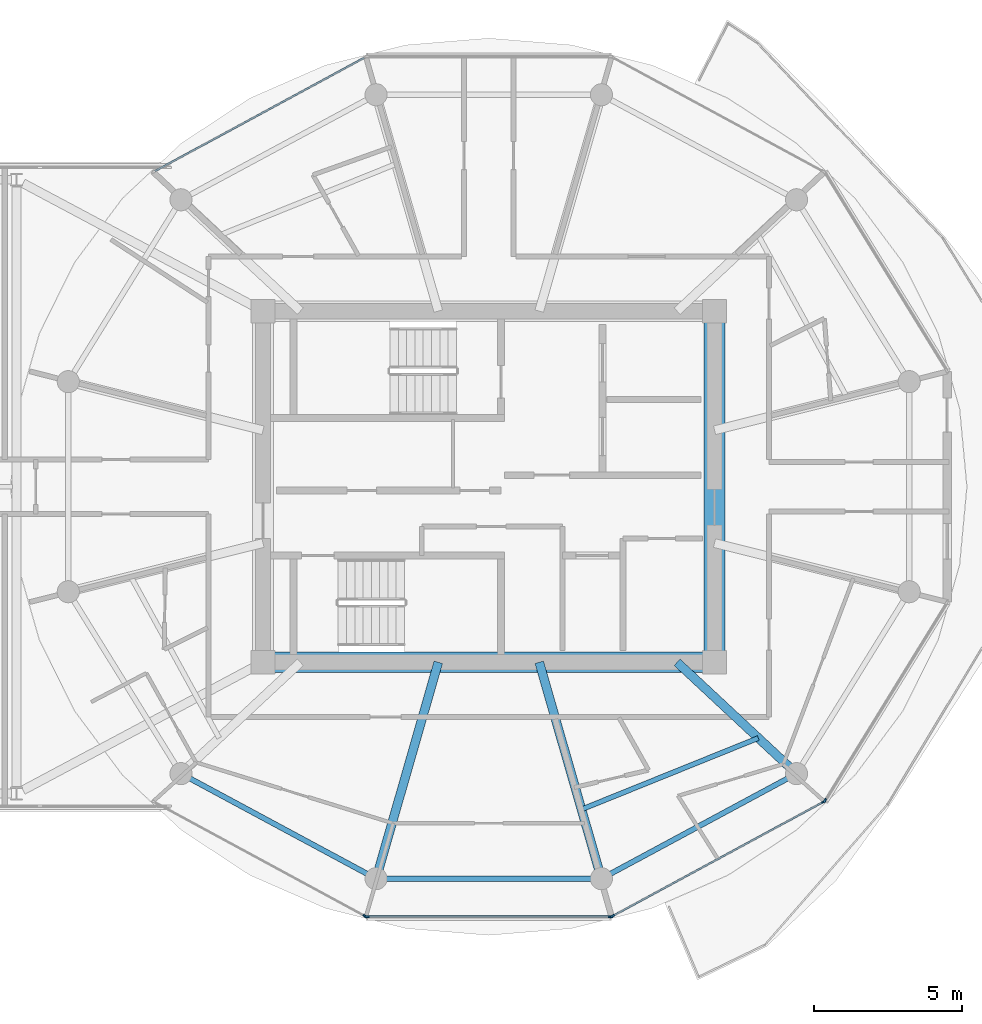
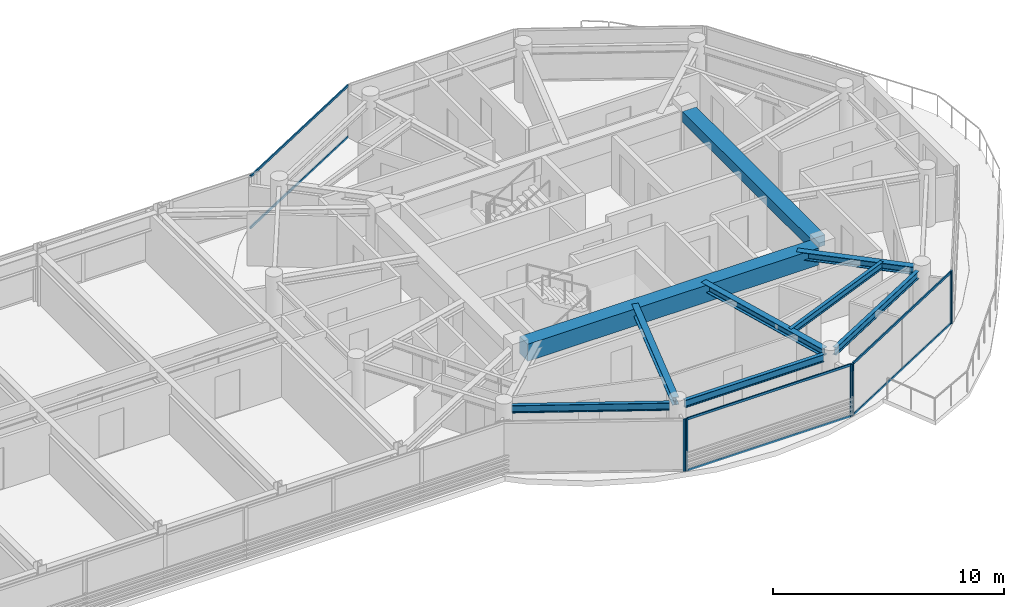
# One storey, part 9 of 24: 12 members, 9 beams, 5 elements without a shape of their own.
"""IFC4 building model written with IfcOpenShell, lengths in metres."""

from ifc_helpers import new_model, si_unit, direction, frame, origin, origin_2d, place, context, subcontext, project, spatial, rectangle, i_section, extrude, source, transform, mapped, material, layer, layer_set, material_profile, profile_set, type_object, type_shapes, element, aggregate, save


model = new_model("IFC4")

# Units and contexts
model_context = context("Model", 3, precision=1e-05, world=origin(), true_north=direction((0.0, 1.0)))
body_context = subcontext(model_context, "Body", "Model", "MODEL_VIEW")
ifc_project = project(units=[si_unit("LENGTHUNIT", "METRE"), si_unit("AREAUNIT", "SQUARE_METRE"), si_unit("VOLUMEUNIT", "CUBIC_METRE"), si_unit("PLANEANGLEUNIT", "RADIAN"), si_unit("MASSUNIT", "GRAM", prefix="KILO")], contexts=[model_context])

# Site, building, storey
site_placement = place(None, origin())
site = spatial("IfcSite", under=ifc_project, at=site_placement, CompositionType="ELEMENT")
building_placement = place(site_placement, origin())
building = spatial("IfcBuilding", under=site, at=building_placement, Name="Norrkilde Senior Care Towers", CompositionType="ELEMENT")
storey_placement = place(building_placement, frame((0.0, 0.0, 213.89990234375)))
storey = spatial("IfcBuildingStorey", under=building, at=storey_placement, Name="L66", CompositionType="ELEMENT", Elevation=213.89990234375)

# Beams
ifc_material_1 = material(Name="Concrete C60/75", Category="concrete")
ifc_material_profile_1 = material_profile(ifc_material_1, rectangle(XDim=0.699951171875, YDim=0.89990234375, at=origin_2d()), Name="RC BM 700x900")
ifc_profile_set_1 = profile_set([ifc_material_profile_1], Name="Concrete C60/75")
beam_type_1 = type_object("IfcBeamType", Name="Core Coupling Girder 700x900", PredefinedType="USERDEFINED", material=ifc_profile_set_1)
shared_shape_1 = source(origin(), body_context, "Body", "SweptSolid", [
    extrude(rectangle(XDim=0.699951171875, YDim=0.89990234375, at=origin_2d()), origin(), (0.0, 0.0, 1.0), 14.5400390625),
])
type_shapes(beam_type_1, [shared_shape_1])
beam_1_placement = place(storey_placement, frame((20.72998046875, -5.949951171875, 2.31005859375), z_axis=(1.0, 0.0, 0.0), x_axis=(0.0, 1.0, 0.0)))
element("IfcBeam", 1, at=beam_1_placement, inside=storey, type_object=beam_type_1, Name="L66 Core E S Coupling Girder", ObjectType="GIRDER", PredefinedType="USERDEFINED", context=body_context, shape_type="MappedRepresentation", body=[
    mapped(shared_shape_1, transform((0.0, 0.0, 0.0), x_axis=(1.0, 0.0, 0.0), y_axis=(0.0, 1.0, 0.0), z_axis=(0.0, 0.0, 1.0), scale=1.0)),
])
ifc_material_profile_2 = material_profile(ifc_material_1, rectangle(XDim=0.699951171875, YDim=0.550048828125, at=origin_2d()), Name="RC BM 700x550")
ifc_profile_set_2 = profile_set([ifc_material_profile_2], Name="Concrete C60/75")
beam_type_2 = type_object("IfcBeamType", Name="Core Portal Coupling Beam 700x550", PredefinedType="USERDEFINED", material=ifc_profile_set_2)
shared_shape_2 = source(origin(), body_context, "Body", "SweptSolid", [
    extrude(rectangle(XDim=0.699951171875, YDim=0.550048828125, at=origin_2d()), origin(), (0.0, 0.0, 1.0), 11.14013671875),
])
type_shapes(beam_type_2, [shared_shape_2])
beam_2_placement = place(storey_placement, frame((35.64990234375, -5.570068359375, 2.485107421875), z_axis=(0.0, 1.0, 0.0), x_axis=(-1.0, 0.0, 0.0)))
element("IfcBeam", 2, at=beam_2_placement, inside=storey, type_object=beam_type_2, Name="L66 Core E E Coupling Girder", ObjectType="GIRDER", PredefinedType="USERDEFINED", context=body_context, shape_type="MappedRepresentation", body=[
    mapped(shared_shape_2, transform((0.0, 0.0, 0.0), x_axis=(1.0, 0.0, 0.0), y_axis=(0.0, 1.0, 0.0), z_axis=(0.0, 0.0, 1.0), scale=1.0)),
])
ifc_material_2 = material(Name="Steel S355", Category="steel")
ifc_material_profile_3 = material_profile(ifc_material_2, i_section(OverallWidth=0.179931640625, OverallDepth=0.39990234375, WebThickness=0.008544921875, FlangeThickness=0.013427734375, FilletRadius=0.02099609375, at=origin_2d()), Name="IPE 400")
ifc_profile_set_3 = profile_set([ifc_material_profile_3], Name="Steel S355")
beam_type_3 = type_object("IfcBeamType", Name="Perimeter Ring Spandrel Z4 IPE400", PredefinedType="SPANDREL", material=ifc_profile_set_3)
shared_shape_3 = source(origin(), body_context, "Body", "SweptSolid", [
    extrude(i_section(OverallWidth=0.179931640625, OverallDepth=0.39990234375, WebThickness=0.008544921875, FlangeThickness=0.013427734375, FilletRadius=0.02099609375, at=origin_2d()), origin(), (0.0, 0.0, 1.0), 6.839111328125),
])
for number, where, z_axis, x_axis, name in (
    (3, (17.865234375, -9.881591796875, 2.56005859375), (0.880563930732, -0.473927382511, 0.0), (0.473927382511, 0.880563930732, 0.0), "L66 Drum E Perimeter Spandrel 08"),
    (4, (32.112548828125, -13.122802734375, 2.56005859375), (0.880563930732, 0.473927382511, 0.0), (-0.473927382511, 0.880563930732, 0.0), "L66 Drum E Perimeter Spandrel 10"),
):
    element("IfcBeam", number, at=place(storey_placement, frame(where, z_axis=z_axis, x_axis=x_axis)), inside=storey, type_object=beam_type_3, Name=name, PredefinedType="SPANDREL", context=body_context, shape_type="MappedRepresentation", body=[
        mapped(shared_shape_3, transform((0.0, 0.0, 0.0), x_axis=(1.0, 0.0, 0.0), y_axis=(0.0, 1.0, 0.0), z_axis=(0.0, 0.0, 1.0), scale=1.0)),
    ])
ifc_material_profile_4 = material_profile(ifc_material_2, i_section(OverallWidth=0.300048828125, OverallDepth=0.39990234375, WebThickness=0.013427734375, FlangeThickness=0.02392578125, FilletRadius=0.027099609375, at=origin_2d()), Name="HEB 400")
ifc_profile_set_4 = profile_set([ifc_material_profile_4], Name="Steel S355")
beam_type_4 = type_object("IfcBeamType", Name="Radial Floor Beam Z4 HEB400", PredefinedType="BEAM", material=ifc_profile_set_4)
shared_shape_4 = source(origin(), body_context, "Body", "SweptSolid", [
    extrude(i_section(OverallWidth=0.300048828125, OverallDepth=0.39990234375, WebThickness=0.013427734375, FlangeThickness=0.02392578125, FilletRadius=0.027099609375, at=origin_2d()), origin(), (0.0, 0.0, 1.0), 5.197998046875),
])
beam_3_placement = place(storey_placement, frame((34.3828125, -5.949951171875, 2.56005859375), z_axis=(0.731448749334, -0.681896419625, 0.0), x_axis=(0.681896419625, 0.731448749334, 0.0)))
element("IfcBeam", 5, at=beam_3_placement, inside=storey, type_object=beam_type_4, Name="L66 Drum E Radial Floor Beam 11", PredefinedType="BEAM", context=body_context, shape_type="MappedRepresentation", body=[
    mapped(shared_shape_4, transform((0.0, 0.0, 0.0), x_axis=(1.0, 0.0, 0.0), y_axis=(0.0, 1.0, 0.0), z_axis=(0.0, 0.0, 1.0), scale=1.0)),
])
shared_shape_5 = source(origin(), body_context, "Body", "SweptSolid", [
    extrude(i_section(OverallWidth=0.179931640625, OverallDepth=0.39990234375, WebThickness=0.008544921875, FlangeThickness=0.013427734375, FilletRadius=0.02099609375, at=origin_2d()), origin(), (0.0, 0.0, 1.0), 6.96533203125),
])
type_shapes(beam_type_3, [shared_shape_3, shared_shape_5])
beam_4_placement = place(storey_placement, frame((24.517333984375, -13.281494140625, 2.56005859375), z_axis=(1.0, 0.0, 0.0), x_axis=(0.0, 1.0, 0.0)))
element("IfcBeam", 6, at=beam_4_placement, inside=storey, type_object=beam_type_3, Name="L66 Drum E Perimeter Spandrel 09", PredefinedType="SPANDREL", context=body_context, shape_type="MappedRepresentation", body=[
    mapped(shared_shape_5, transform((0.0, 0.0, 0.0), x_axis=(1.0, 0.0, 0.0), y_axis=(0.0, 1.0, 0.0), z_axis=(0.0, 0.0, 1.0), scale=1.0)),
])
shared_shape_6 = source(origin(), body_context, "Body", "SweptSolid", [
    extrude(i_section(OverallWidth=0.300048828125, OverallDepth=0.39990234375, WebThickness=0.013427734375, FlangeThickness=0.02392578125, FilletRadius=0.027099609375, at=origin_2d()), origin(), (0.0, 0.0, 1.0), 7.29345703125),
])
type_shapes(beam_type_4, [shared_shape_4, shared_shape_6])
for number, where, z_axis, x_axis, name in (
    (7, (26.289794921875, -5.949951171875, 2.56005859375), (-0.276263751906, -0.961081858836, 0.0), (0.961081858836, -0.276263751906, 0.0), "L66 Drum E Radial Floor Beam 09"),
    (8, (29.710205078125, -5.949951171875, 2.56005859375), (0.276263751906, -0.961081858836, 0.0), (0.961081858836, 0.276263751906, 0.0), "L66 Drum E Radial Floor Beam 10"),
):
    element("IfcBeam", number, at=place(storey_placement, frame(where, z_axis=z_axis, x_axis=x_axis)), inside=storey, type_object=beam_type_4, Name=name, PredefinedType="BEAM", context=body_context, shape_type="MappedRepresentation", body=[
        mapped(shared_shape_6, transform((0.0, 0.0, 0.0), x_axis=(1.0, 0.0, 0.0), y_axis=(0.0, 1.0, 0.0), z_axis=(0.0, 0.0, 1.0), scale=1.0)),
    ])
ifc_material_profile_5 = material_profile(ifc_material_2, i_section(OverallWidth=0.169921875, OverallDepth=0.360107421875, WebThickness=0.008056640625, FlangeThickness=0.0126953125, FilletRadius=0.01806640625, at=origin_2d()), Name="IPE 360")
ifc_profile_set_5 = profile_set([ifc_material_profile_5], Name="Steel S355")
beam_type_5 = type_object("IfcBeamType", Name="Secondary Floor Joist IPE360", PredefinedType="JOIST", material=ifc_profile_set_5)
shared_shape_7 = source(origin(), body_context, "Body", "SweptSolid", [
    extrude(i_section(OverallWidth=0.169921875, OverallDepth=0.360107421875, WebThickness=0.008056640625, FlangeThickness=0.0126953125, FilletRadius=0.01806640625, at=origin_2d()), origin(), (0.0, 0.0, 1.0), 6.461669921875),
])
type_shapes(beam_type_5, [shared_shape_7])
beam_5_placement = place(storey_placement, frame((31.143310546875, -10.935302734375, 2.580078125), z_axis=(0.927225942298, 0.374502405772, 0.0), x_axis=(-0.374502405772, 0.927225942298, 0.0)))
element("IfcBeam", 9, at=beam_5_placement, inside=storey, type_object=beam_type_5, Name="L66 Drum E Secondary Floor Joist 4", PredefinedType="JOIST", context=body_context, shape_type="MappedRepresentation", body=[
    mapped(shared_shape_7, transform((0.0, 0.0, 0.0), x_axis=(1.0, 0.0, 0.0), y_axis=(0.0, 1.0, 0.0), z_axis=(0.0, 0.0, 1.0), scale=1.0)),
])

# Curtain wall, members
ifc_material_3 = material(Name="Triple Low-E Insulated Glazing", Category="glass")
ifc_layer = layer(ifc_material_3, 0.18505859375)
ifc_layer_set = layer_set([ifc_layer], Name="Triple Low-E Insulated Glazing")
curtain_wall_type = type_object("IfcCurtainWallType", Name="CW6 Zone 4 Crown Pavilion Curtain Wall", PredefinedType="NOTDEFINED", material=ifc_layer_set)
curtain_wall_1_placement = place(storey_placement, origin())
curtain_wall_1 = element("IfcCurtainWall", 10, at=curtain_wall_1_placement, inside=storey, type_object=curtain_wall_type, Name="L66 Drum E Curtain Wall 08", PredefinedType="NOTDEFINED")
ifc_material_4 = material(Name="Anodised Aluminium", Category="aluminium")
ifc_material_profile_6 = material_profile(ifc_material_4, rectangle(XDim=0.06005859375, YDim=0.1201171875, at=origin_2d()), Name="ALU TRAN 60x120")
ifc_profile_set_6 = profile_set([ifc_material_profile_6], Name="Anodised Aluminium")
member_type_1 = type_object("IfcMemberType", Name="Curtain Wall Transom Typical 60x120", PredefinedType="USERDEFINED", material=ifc_profile_set_6)
shared_shape_8 = source(origin(), body_context, "Body", "SweptSolid", [
    extrude(rectangle(XDim=0.06005859375, YDim=0.1201171875, at=origin_2d()), origin(), (0.0, 0.0, 1.0), 8.19384765625),
])
member_1_placement = place(storey_placement, frame((32.096923828125, -14.566162109375, 0.030029296875), z_axis=(-1.0, 0.0, 0.0), x_axis=(0.0, -1.0, 0.0)))
member_1 = element("IfcMember", 11, at=member_1_placement, type_object=member_type_1, Name="CW-6 transom 1.1", ObjectType="TRANSOM", PredefinedType="USERDEFINED", context=body_context, shape_type="MappedRepresentation", body=[
    mapped(shared_shape_8, transform((0.0, 0.0, 0.0), x_axis=(1.0, 0.0, 0.0), y_axis=(0.0, 1.0, 0.0), z_axis=(0.0, 0.0, 1.0), scale=1.0)),
])
member_2_placement = place(storey_placement, frame((32.096923828125, -14.566162109375, 2.72998046875), z_axis=(-1.0, 0.0, 0.0), x_axis=(0.0, -1.0, 0.0)))
member_2 = element("IfcMember", 12, at=member_2_placement, type_object=member_type_1, Name="CW-6 transom 1.2", ObjectType="TRANSOM", PredefinedType="USERDEFINED", context=body_context, shape_type="MappedRepresentation", body=[
    mapped(shared_shape_8, transform((0.0, 0.0, 0.0), x_axis=(1.0, 0.0, 0.0), y_axis=(0.0, 1.0, 0.0), z_axis=(0.0, 0.0, 1.0), scale=1.0)),
])

curtain_wall_2_placement = place(storey_placement, origin())
curtain_wall_2 = element("IfcCurtainWall", 13, at=curtain_wall_2_placement, inside=storey, type_object=curtain_wall_type, Name="L66 Drum E Curtain Wall 03", PredefinedType="NOTDEFINED")
shared_shape_9 = source(origin(), body_context, "Body", "SweptSolid", [
    extrude(rectangle(XDim=0.06005859375, YDim=0.1201171875, at=origin_2d()), origin(), (0.0, 0.0, 1.0), 8.0673828125),
])
type_shapes(member_type_1, [shared_shape_8, shared_shape_9])
member_3_placement = place(storey_placement, frame((16.686767578125, 10.694091796875, 0.030029296875), z_axis=(0.87937750072, 0.476125205411, 0.0), x_axis=(-0.476125205411, 0.87937750072, 0.0)))
member_3 = element("IfcMember", 14, at=member_3_placement, type_object=member_type_1, Name="CW-6 transom 1.1", ObjectType="TRANSOM", PredefinedType="USERDEFINED", context=body_context, shape_type="MappedRepresentation", body=[
    mapped(shared_shape_9, transform((0.0, 0.0, 0.0), x_axis=(1.0, 0.0, 0.0), y_axis=(0.0, 1.0, 0.0), z_axis=(0.0, 0.0, 1.0), scale=1.0)),
])
member_4_placement = place(storey_placement, frame((16.686767578125, 10.694091796875, 2.72998046875), z_axis=(0.87937750072, 0.476125205411, 0.0), x_axis=(-0.476125205411, 0.87937750072, 0.0)))
member_4 = element("IfcMember", 15, at=member_4_placement, type_object=member_type_1, Name="CW-6 transom 1.2", ObjectType="TRANSOM", PredefinedType="USERDEFINED", context=body_context, shape_type="MappedRepresentation", body=[
    mapped(shared_shape_9, transform((0.0, 0.0, 0.0), x_axis=(1.0, 0.0, 0.0), y_axis=(0.0, 1.0, 0.0), z_axis=(0.0, 0.0, 1.0), scale=1.0)),
])
aggregate(curtain_wall_2, [member_3, member_4])

curtain_wall_3_placement = place(storey_placement, origin())
curtain_wall_3 = element("IfcCurtainWall", 16, at=curtain_wall_3_placement, inside=storey, type_object=curtain_wall_type, Name="L66 Drum E Curtain Wall 09", PredefinedType="NOTDEFINED")
member_5_placement = place(storey_placement, frame((39.313232421875, -10.694091796875, 0.030029296875), z_axis=(-0.87937750072, -0.476125205411, 0.0), x_axis=(0.476125205411, -0.87937750072, 0.0)))
member_5 = element("IfcMember", 17, at=member_5_placement, type_object=member_type_1, Name="CW-6 transom 1.1", ObjectType="TRANSOM", PredefinedType="USERDEFINED", context=body_context, shape_type="MappedRepresentation", body=[
    mapped(shared_shape_9, transform((0.0, 0.0, 0.0), x_axis=(1.0, 0.0, 0.0), y_axis=(0.0, 1.0, 0.0), z_axis=(0.0, 0.0, 1.0), scale=1.0)),
])
member_6_placement = place(storey_placement, frame((39.313232421875, -10.694091796875, 2.72998046875), z_axis=(-0.87937750072, -0.476125205411, 0.0), x_axis=(0.476125205411, -0.87937750072, 0.0)))
member_6 = element("IfcMember", 18, at=member_6_placement, type_object=member_type_1, Name="CW-6 transom 1.2", ObjectType="TRANSOM", PredefinedType="USERDEFINED", context=body_context, shape_type="MappedRepresentation", body=[
    mapped(shared_shape_9, transform((0.0, 0.0, 0.0), x_axis=(1.0, 0.0, 0.0), y_axis=(0.0, 1.0, 0.0), z_axis=(0.0, 0.0, 1.0), scale=1.0)),
])

# Curtain wall, member
curtain_wall_4_placement = place(storey_placement, origin())
curtain_wall_4 = element("IfcCurtainWall", 19, at=curtain_wall_4_placement, inside=storey, type_object=curtain_wall_type, Name="L66 Drum E Curtain Wall 07", PredefinedType="NOTDEFINED")
ifc_material_profile_7 = material_profile(ifc_material_4, rectangle(XDim=0.06494140625, YDim=0.14990234375, at=origin_2d()), Name="ALU MULL 65x150")
ifc_profile_set_7 = profile_set([ifc_material_profile_7], Name="Anodised Aluminium")
member_type_2 = type_object("IfcMemberType", Name="Curtain Wall Mullion Z3-Z4 65x150", PredefinedType="MULLION", material=ifc_profile_set_7)
shared_shape_10 = source(origin(), body_context, "Body", "SweptSolid", [
    extrude(rectangle(XDim=0.06494140625, YDim=0.14990234375, at=origin_2d()), origin(), (0.0, 0.0, 1.0), 2.760009765625),
])
type_shapes(member_type_2, [shared_shape_10])
member_7_placement = place(storey_placement, frame((23.8095703125, -14.55078125, 0.0), z_axis=(0.0, 0.0, 1.0), x_axis=(-0.476132676136, -0.879373455772, 0.0)))
member_7 = element("IfcMember", 20, at=member_7_placement, type_object=member_type_2, Name="CW-6 mullion 1", PredefinedType="MULLION", context=body_context, shape_type="MappedRepresentation", body=[
    mapped(shared_shape_10, transform((0.0, 0.0, 0.0), x_axis=(1.0, 0.0, 0.0), y_axis=(0.0, 1.0, 0.0), z_axis=(0.0, 0.0, 1.0), scale=1.0)),
])
aggregate(curtain_wall_4, [member_7])

# Member
member_8_placement = place(storey_placement, frame((32.12939453125, -14.566162109375, 0.0), z_axis=(0.0, 0.0, 1.0), x_axis=(0.0, -1.0, 0.0)))
member_8 = element("IfcMember", 21, at=member_8_placement, type_object=member_type_2, Name="CW-6 mullion 1", PredefinedType="MULLION", context=body_context, shape_type="MappedRepresentation", body=[
    mapped(shared_shape_10, transform((0.0, 0.0, 0.0), x_axis=(1.0, 0.0, 0.0), y_axis=(0.0, 1.0, 0.0), z_axis=(0.0, 0.0, 1.0), scale=1.0)),
])

member_9_placement = place(storey_placement, frame((23.87060546875, -14.566162109375, 0.0), z_axis=(0.0, 0.0, 1.0), x_axis=(0.0, -1.0, 0.0)))
member_9 = element("IfcMember", 22, at=member_9_placement, type_object=member_type_2, Name="CW-6 mullion 2", PredefinedType="MULLION", context=body_context, shape_type="MappedRepresentation", body=[
    mapped(shared_shape_10, transform((0.0, 0.0, 0.0), x_axis=(1.0, 0.0, 0.0), y_axis=(0.0, 1.0, 0.0), z_axis=(0.0, 0.0, 1.0), scale=1.0)),
])

aggregate(curtain_wall_1, [member_8, member_9, member_1, member_2])

member_10_placement = place(storey_placement, frame((39.341796875, -10.6787109375, 0.0), z_axis=(0.0, 0.0, 1.0), x_axis=(0.476132676136, -0.879373455772, 0.0)))
member_10 = element("IfcMember", 23, at=member_10_placement, type_object=member_type_2, Name="CW-6 mullion 1", PredefinedType="MULLION", context=body_context, shape_type="MappedRepresentation", body=[
    mapped(shared_shape_10, transform((0.0, 0.0, 0.0), x_axis=(1.0, 0.0, 0.0), y_axis=(0.0, 1.0, 0.0), z_axis=(0.0, 0.0, 1.0), scale=1.0)),
])

member_11_placement = place(storey_placement, frame((32.1904296875, -14.55078125, 0.0), z_axis=(0.0, 0.0, 1.0), x_axis=(0.476132676136, -0.879373455772, 0.0)))
member_11 = element("IfcMember", 24, at=member_11_placement, type_object=member_type_2, Name="CW-6 mullion 2", PredefinedType="MULLION", context=body_context, shape_type="MappedRepresentation", body=[
    mapped(shared_shape_10, transform((0.0, 0.0, 0.0), x_axis=(1.0, 0.0, 0.0), y_axis=(0.0, 1.0, 0.0), z_axis=(0.0, 0.0, 1.0), scale=1.0)),
])

aggregate(curtain_wall_3, [member_10, member_11, member_5, member_6])

# Curtain wall, member
curtain_wall_5_placement = place(storey_placement, origin())
curtain_wall_5 = element("IfcCurtainWall", 25, at=curtain_wall_5_placement, inside=storey, type_object=curtain_wall_type, Name="L66 Drum E Curtain Wall 10", PredefinedType="NOTDEFINED")
member_12_placement = place(storey_placement, frame((39.38720703125, -10.635498046875, 0.0), z_axis=(0.0, 0.0, 1.0), x_axis=(0.851562727283, -0.524252726748, 0.0)))
member_12 = element("IfcMember", 26, at=member_12_placement, type_object=member_type_2, Name="CW-6 mullion 2", PredefinedType="MULLION", context=body_context, shape_type="MappedRepresentation", body=[
    mapped(shared_shape_10, transform((0.0, 0.0, 0.0), x_axis=(1.0, 0.0, 0.0), y_axis=(0.0, 1.0, 0.0), z_axis=(0.0, 0.0, 1.0), scale=1.0)),
])
aggregate(curtain_wall_5, [member_12])

save(model, "model.ifc")
